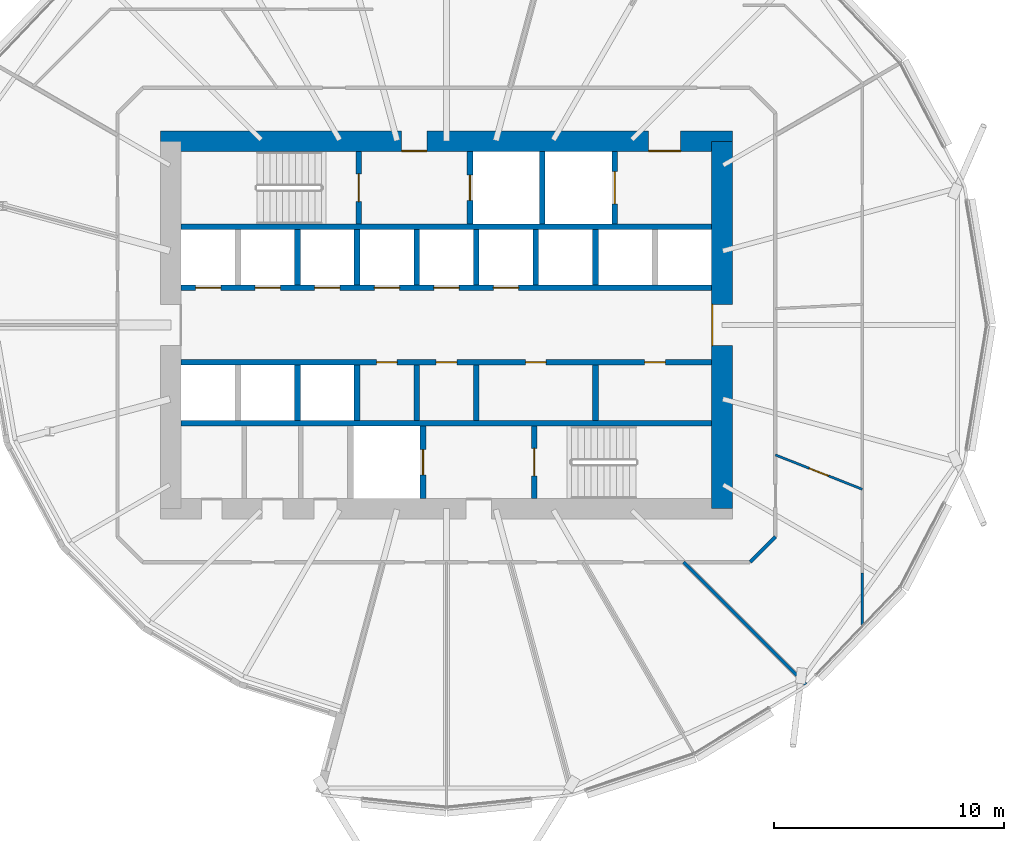
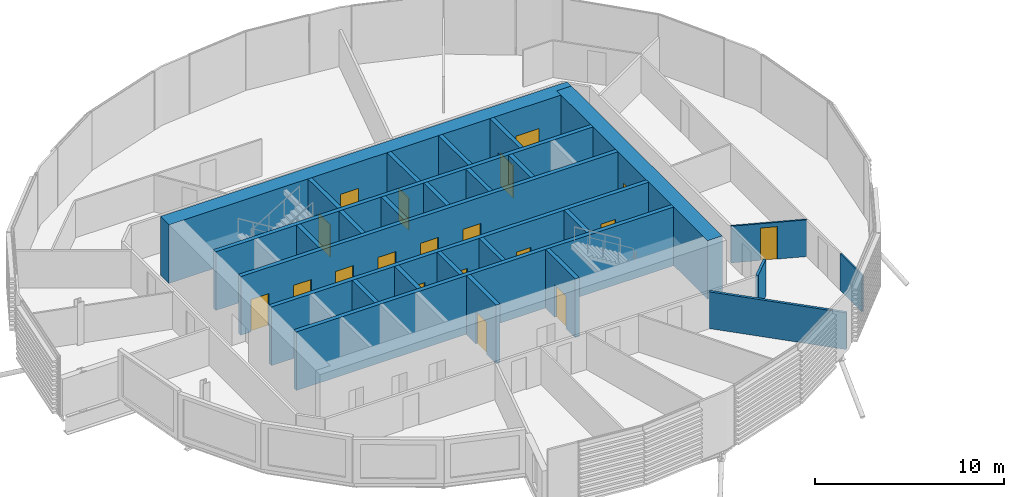
# One storey, part 21 of 38: 27 walls, 19 doors, 19 openings.
"""IFC4 building model written with IfcOpenShell, lengths in metres."""

from ifc_helpers import new_model, si_unit, direction, frame, frame_2d, origin, place, context, subcontext, project, spatial, rectangle, extrude, material, layer, layer_set, type_object, element, fill, save


model = new_model("IFC4")

# Units and contexts
model_context = context("Model", 3, precision=1e-05, world=origin(), true_north=direction((0.0, 1.0)))
body_context = subcontext(model_context, "Body", "Model", "MODEL_VIEW")
ifc_project = project(units=[si_unit("LENGTHUNIT", "METRE"), si_unit("AREAUNIT", "SQUARE_METRE"), si_unit("VOLUMEUNIT", "CUBIC_METRE"), si_unit("PLANEANGLEUNIT", "RADIAN"), si_unit("MASSUNIT", "GRAM", prefix="KILO")], contexts=[model_context])

# Site, building, storey
site_placement = place(None, origin())
site = spatial("IfcSite", under=ifc_project, at=site_placement, CompositionType="ELEMENT")
building_placement = place(site_placement, origin())
building = spatial("IfcBuilding", under=site, at=building_placement, Name="Rimbun Link Towers", CompositionType="ELEMENT")
storey_placement = place(building_placement, frame((0.0, 0.0, 71.800048828125)))
storey = spatial("IfcBuildingStorey", under=building, at=storey_placement, Name="L17", CompositionType="ELEMENT", Elevation=71.800048828125)

# Wall, openings, doors
ifc_material_1 = material(Name="Concrete C60/75", Category="concrete")
ifc_layer_1 = layer(ifc_material_1, 0.89990234375)
ifc_layer_set_1 = layer_set([ifc_layer_1], Name="Core shear wall 900")
wall_type_1 = type_object("IfcWallType", Name="Core shear wall 900", PredefinedType="SHEAR", material=ifc_layer_set_1)
wall_1_placement = place(storey_placement, frame((-44.199951171875, 8.0, 0.0), z_axis=(0.0, 0.0, 1.0), x_axis=(1.0, 0.0, 0.0)))
wall_1 = element("IfcWall", 1, at=wall_1_placement, inside=storey, type_object=wall_type_1, Name="L17 T1 core wall N", PredefinedType="SHEAR", context=body_context, shape_type="SweptSolid", body=[
    extrude(rectangle(XDim=24.89990234375, YDim=0.89990234375, at=frame_2d((12.449951171875, 0.0))), origin(), (0.0, 0.0, 1.0), 3.800048828125),
])
opening_1_placement = place(wall_1_placement, frame((10.5, 0.0, 0.0)))
opening_1 = element("IfcOpeningElement", 2, at=opening_1_placement, cuts=wall_1, Name="Opening C1DCF01N", PredefinedType="OPENING", context=body_context, shape_type="SweptSolid", body=[
    extrude(rectangle(XDim=1.10009765625, YDim=2.10009765625, at=frame_2d((0.550048828125, 1.050048828125))), frame((0.0, 0.4599609375, 0.0), z_axis=(0.0, -1.0, 0.0), x_axis=(1.0, 0.0, 0.0)), (0.0, 0.0, 1.0), 0.919921875),
])
opening_2_placement = place(wall_1_placement, frame((21.25, 0.0, 0.0)))
opening_2 = element("IfcOpeningElement", 3, at=opening_2_placement, cuts=wall_1, Name="Opening C1DSL02N", PredefinedType="OPENING", context=body_context, shape_type="SweptSolid", body=[
    extrude(rectangle(XDim=1.39990234375, YDim=2.10009765625, at=frame_2d((0.699951171875, 1.050048828125))), frame((0.0, 0.4599609375, 0.0), z_axis=(0.0, -1.0, 0.0), x_axis=(1.0, 0.0, 0.0)), (0.0, 0.0, 1.0), 0.919921875),
])
ifc_material_2 = material(Name="Steel fire door set", Category="steel")
door_type_1 = type_object("IfcDoorType", Name="Core fire door single", OperationType="SINGLE_SWING_LEFT", PredefinedType="DOOR", material=ifc_material_2)
door_1_placement = place(opening_1_placement, origin())
door_1 = element("IfcDoor", 4, at=door_1_placement, inside=storey, type_object=door_type_1, Name="L17 T1 firefighting lobby n door", OperationType="SINGLE_SWING_RIGHT", OverallHeight=2.10009765625, OverallWidth=1.10009765625, PredefinedType="DOOR", context=body_context, shape_type="SweptSolid", body=[
    extrude(rectangle(XDim=1.10009765625, YDim=2.10009765625, at=frame_2d((0.550048828125, 1.050048828125))), frame((0.0, -0.39990234375, 0.0), z_axis=(0.0, -1.0, 0.0), x_axis=(1.0, 0.0, 0.0)), (0.0, 0.0, 1.0), 0.050048828125),
])
fill(opening_1, door_1)
ifc_material_3 = material(Name="Steel fire door set", Category="steel")
door_type_2 = type_object("IfcDoorType", Name="Service lobby door double", OperationType="DOUBLE_DOOR_SINGLE_SWING", PredefinedType="DOOR", material=ifc_material_3)
door_2_placement = place(opening_2_placement, origin())
door_2 = element("IfcDoor", 5, at=door_2_placement, inside=storey, type_object=door_type_2, Name="L17 T1 service lobby door", OperationType="DOUBLE_DOOR_SINGLE_SWING", OverallHeight=2.10009765625, OverallWidth=1.39990234375, PredefinedType="DOOR", context=body_context, shape_type="SweptSolid", body=[
    extrude(rectangle(XDim=1.39990234375, YDim=2.10009765625, at=frame_2d((0.699951171875, 1.050048828125))), frame((0.0, -0.39990234375, 0.0), z_axis=(0.0, -1.0, 0.0), x_axis=(1.0, 0.0, 0.0)), (0.0, 0.0, 1.0), 0.050048828125),
])
fill(opening_2, door_2)

# Wall, opening, door
wall_2_placement = place(storey_placement, frame((-19.75, -8.0, 0.0), z_axis=(0.0, 0.0, 1.0), x_axis=(0.0, 1.0, 0.0)))
wall_2 = element("IfcWall", 6, at=wall_2_placement, inside=storey, type_object=wall_type_1, Name="L17 T1 core wall E", PredefinedType="SHEAR", context=body_context, shape_type="SweptSolid", body=[
    extrude(rectangle(XDim=16.0, YDim=0.89990234375, at=frame_2d((8.0, 0.0))), origin(), (0.0, 0.0, 1.0), 3.800048828125),
])
opening_3_placement = place(wall_2_placement, frame((7.10009765625, 0.0, 0.0)))
opening_3 = element("IfcOpeningElement", 7, at=opening_3_placement, cuts=wall_2, Name="Opening C1DCL01E", PredefinedType="OPENING", context=body_context, shape_type="SweptSolid", body=[
    extrude(rectangle(XDim=1.800048828125, YDim=2.10009765625, at=frame_2d((0.89990234375, 1.050048828125))), frame((0.0, 0.4599609375, 0.0), z_axis=(0.0, -1.0, 0.0), x_axis=(1.0, 0.0, 0.0)), (0.0, 0.0, 1.0), 0.919921875),
])
ifc_material_4 = material(Name="Steel fire door set", Category="steel")
door_type_3 = type_object("IfcDoorType", Name="Core lobby door double", OperationType="DOUBLE_DOOR_SINGLE_SWING", PredefinedType="DOOR", material=ifc_material_4)
door_3_placement = place(opening_3_placement, origin())
door_3 = element("IfcDoor", 8, at=door_3_placement, inside=storey, type_object=door_type_3, Name="L17 T1 lift lobby door", OperationType="DOUBLE_DOOR_SINGLE_SWING", OverallHeight=2.10009765625, OverallWidth=1.800048828125, PredefinedType="DOOR", context=body_context, shape_type="SweptSolid", body=[
    extrude(rectangle(XDim=1.800048828125, YDim=2.10009765625, at=frame_2d((0.89990234375, 1.050048828125))), frame((0.0, 0.4501953125, 0.0), z_axis=(0.0, -1.0, 0.0), x_axis=(1.0, 0.0, 0.0)), (0.0, 0.0, 1.0), 0.050048828125),
])
fill(opening_3, door_3)

# Wall
ifc_material_5 = material(Name="Plasterboard on steel stud, mineral wool", Category="steel")
ifc_layer_2 = layer(ifc_material_5, 0.14990234375)
ifc_layer_set_2 = layer_set([ifc_layer_2], Name="Corridor wall EI 30 150 mm")
wall_type_2 = type_object("IfcWallType", Name="Corridor wall EI 30 150 mm", PredefinedType="PARTITIONING", material=ifc_layer_set_2)
wall_3_placement = place(storey_placement, frame((-18.523193359375, -10.324951171875, 0.0), z_axis=(0.0, 0.0, 1.0), x_axis=(0.707106781187, 0.707106781187, 0.0)))
element("IfcWall", 9, at=wall_3_placement, inside=storey, type_object=wall_type_2, Name="Corridor wall EI 30 150 mm", PredefinedType="PARTITIONING", context=body_context, shape_type="SweptSolid", body=[
    extrude(rectangle(XDim=1.552978515625, YDim=0.14990234375, at=frame_2d((0.7763671875, 0.0))), origin(), (0.0, 0.0, 1.0), 2.3798828125),
])

# Wall, opening, door
ifc_material_6 = material(Name="Plasterboard on steel stud", Category="steel")
ifc_layer_3 = layer(ifc_material_6, 0.10009765625)
ifc_layer_set_3 = layer_set([ifc_layer_3], Name="Plasterboard partition 100 mm")
wall_type_3 = type_object("IfcWallType", Name="Plasterboard partition 100 mm", PredefinedType="PARTITIONING", material=ifc_layer_set_3)
wall_4_placement = place(storey_placement, frame((-17.425048828125, -5.65966796875, 0.0), z_axis=(0.0, 0.0, 1.0), x_axis=(0.930046668, -0.367441417565, 0.0)))
wall_4 = element("IfcWall", 10, at=wall_4_placement, inside=storey, type_object=wall_type_3, Name="Plasterboard partition 100 mm", PredefinedType="PARTITIONING", context=body_context, shape_type="SweptSolid", body=[
    extrude(rectangle(XDim=4.064453125, YDim=0.10009765625, at=frame_2d((2.0322265625, 0.0))), origin(), (0.0, 0.0, 1.0), 2.3798828125),
])
opening_4_placement = place(wall_4_placement, frame((1.582275390625, 0.0, 0.0)))
opening_4 = element("IfcOpeningElement", 11, at=opening_4_placement, cuts=wall_4, Name="Opening D04", PredefinedType="OPENING", context=body_context, shape_type="SweptSolid", body=[
    extrude(rectangle(XDim=0.89990234375, YDim=2.10009765625, at=frame_2d((0.449951171875, 1.050048828125))), frame((0.0, 0.06005859375, 0.0), z_axis=(0.0, -1.0, 0.0), x_axis=(1.0, 0.0, 0.0)), (0.0, 0.0, 1.0), 0.1201171875),
])
ifc_material_7 = material(Name="Timber door leaf", Category="wood")
door_type_4 = type_object("IfcDoorType", Name="Flush door 900", OperationType="NOTDEFINED", PredefinedType="DOOR", material=ifc_material_7)
door_4_placement = place(opening_4_placement, origin())
door_4 = element("IfcDoor", 12, at=door_4_placement, inside=storey, type_object=door_type_4, Name="Flush door 900 to Interview room", OperationType="SINGLE_SWING_LEFT", OverallHeight=2.10009765625, OverallWidth=0.89990234375, PredefinedType="DOOR", context=body_context, shape_type="SweptSolid", body=[
    extrude(rectangle(XDim=0.89990234375, YDim=2.10009765625, at=frame_2d((0.449951171875, 1.050048828125))), frame((0.0, 0.02490234375, 0.0), z_axis=(0.0, -1.0, 0.0), x_axis=(1.0, 0.0, 0.0)), (0.0, 0.0, 1.0), 0.050048828125),
])
fill(opening_4, door_4)

# Walls
wall_5_placement = place(storey_placement, frame((-13.64501953125, -13.084228515625, 0.0), z_axis=(0.0, 0.0, 1.0), x_axis=(0.0, 1.0, 0.0)))
element("IfcWall", 13, at=wall_5_placement, inside=storey, type_object=wall_type_3, Name="Plasterboard partition 100 mm", PredefinedType="PARTITIONING", context=body_context, shape_type="SweptSolid", body=[
    extrude(rectangle(XDim=2.291748046875, YDim=0.10009765625, at=frame_2d((1.14599609375, 0.0))), origin(), (0.0, 0.0, 1.0), 2.3798828125),
])
ifc_material_8 = material(Name="Concrete C60/75", Category="concrete")
ifc_layer_4 = layer(ifc_material_8, 0.25)
ifc_layer_set_4 = layer_set([ifc_layer_4], Name="Shaft wall 250")
wall_type_4 = type_object("IfcWallType", Name="Shaft wall 250", PredefinedType="SHEAR", material=ifc_layer_set_4)
for number, where, z_axis, x_axis, name in (
    (14, (-43.300048828125, 4.27490234375, 0.0), (0.0, 0.0, 1.0), (1.0, 0.0, 0.0), "L17 T1 core wall BN"),
    (15, (-43.300048828125, -4.27490234375, 0.0), (0.0, 0.0, 1.0), (1.0, 0.0, 0.0), "L17 T1 core wall BS"),
):
    element("IfcWall", number, at=place(storey_placement, frame(where, z_axis=z_axis, x_axis=x_axis)), inside=storey, type_object=wall_type_4, Name=name, PredefinedType="SHEAR", context=body_context, shape_type="SweptSolid", body=[
        extrude(rectangle(XDim=23.10009765625, YDim=0.25, at=frame_2d((11.550048828125, 0.0))), origin(), (0.0, 0.0, 1.0), 3.800048828125),
    ])

# Wall, openings, doors
wall_6_placement = place(storey_placement, frame((-43.300048828125, 1.625, 0.0), z_axis=(0.0, 0.0, 1.0), x_axis=(1.0, 0.0, 0.0)))
wall_6 = element("IfcWall", 16, at=wall_6_placement, inside=storey, type_object=wall_type_4, Name="L17 T1 core wall FN", PredefinedType="SHEAR", context=body_context, shape_type="SweptSolid", body=[
    extrude(rectangle(XDim=23.10009765625, YDim=0.25, at=frame_2d((11.550048828125, 0.0))), origin(), (0.0, 0.0, 1.0), 3.800048828125),
])
opening_5_placement = place(wall_6_placement, frame((0.622314453125, 0.0, 0.0)))
opening_5 = element("IfcOpeningElement", 17, at=opening_5_placement, cuts=wall_6, Name="Opening LD-T1-LR1", PredefinedType="OPENING", context=body_context, shape_type="SweptSolid", body=[
    extrude(rectangle(XDim=1.10009765625, YDim=2.10009765625, at=frame_2d((0.550048828125, 1.050048828125))), frame((0.0, 0.135009765625, 0.0), z_axis=(0.0, -1.0, 0.0), x_axis=(1.0, 0.0, 0.0)), (0.0, 0.0, 1.0), 0.27001953125),
])
opening_6_placement = place(wall_6_placement, frame((3.216796875, 0.0, 0.0)))
opening_6 = element("IfcOpeningElement", 18, at=opening_6_placement, cuts=wall_6, Name="Opening LD-T1-LR2", PredefinedType="OPENING", context=body_context, shape_type="SweptSolid", body=[
    extrude(rectangle(XDim=1.10009765625, YDim=2.10009765625, at=frame_2d((0.550048828125, 1.050048828125))), frame((0.0, 0.135009765625, 0.0), z_axis=(0.0, -1.0, 0.0), x_axis=(1.0, 0.0, 0.0)), (0.0, 0.0, 1.0), 0.27001953125),
])
opening_7_placement = place(wall_6_placement, frame((5.81103515625, 0.0, 0.0)))
opening_7 = element("IfcOpeningElement", 19, at=opening_7_placement, cuts=wall_6, Name="Opening LD-T1-LR3", PredefinedType="OPENING", context=body_context, shape_type="SweptSolid", body=[
    extrude(rectangle(XDim=1.10009765625, YDim=2.10009765625, at=frame_2d((0.550048828125, 1.050048828125))), frame((0.0, 0.135009765625, 0.0), z_axis=(0.0, -1.0, 0.0), x_axis=(1.0, 0.0, 0.0)), (0.0, 0.0, 1.0), 0.27001953125),
])
opening_8_placement = place(wall_6_placement, frame((8.405517578125, 0.0, 0.0)))
opening_8 = element("IfcOpeningElement", 20, at=opening_8_placement, cuts=wall_6, Name="Opening LD-T1-LR4", PredefinedType="OPENING", context=body_context, shape_type="SweptSolid", body=[
    extrude(rectangle(XDim=1.10009765625, YDim=2.10009765625, at=frame_2d((0.550048828125, 1.050048828125))), frame((0.0, 0.135009765625, 0.0), z_axis=(0.0, -1.0, 0.0), x_axis=(1.0, 0.0, 0.0)), (0.0, 0.0, 1.0), 0.27001953125),
])
opening_9_placement = place(wall_6_placement, frame((11.0, 0.0, 0.0)))
opening_9 = element("IfcOpeningElement", 21, at=opening_9_placement, cuts=wall_6, Name="Opening LD-T1-LR5", PredefinedType="OPENING", context=body_context, shape_type="SweptSolid", body=[
    extrude(rectangle(XDim=1.10009765625, YDim=2.10009765625, at=frame_2d((0.550048828125, 1.050048828125))), frame((0.0, 0.135009765625, 0.0), z_axis=(0.0, -1.0, 0.0), x_axis=(1.0, 0.0, 0.0)), (0.0, 0.0, 1.0), 0.27001953125),
])
opening_10_placement = place(wall_6_placement, frame((13.594482421875, 0.0, 0.0)))
opening_10 = element("IfcOpeningElement", 22, at=opening_10_placement, cuts=wall_6, Name="Opening LD-T1-LR6", PredefinedType="OPENING", context=body_context, shape_type="SweptSolid", body=[
    extrude(rectangle(XDim=1.10009765625, YDim=2.10009765625, at=frame_2d((0.550048828125, 1.050048828125))), frame((0.0, 0.135009765625, 0.0), z_axis=(0.0, -1.0, 0.0), x_axis=(1.0, 0.0, 0.0)), (0.0, 0.0, 1.0), 0.27001953125),
])
ifc_material_9 = material(Name="Stainless steel grade 316", Category="steel")
door_type_5 = type_object("IfcDoorType", Name="Lift landing door", OperationType="DOUBLE_DOOR_SLIDING", PredefinedType="DOOR", material=ifc_material_9)
door_5_placement = place(opening_5_placement, origin())
door_5 = element("IfcDoor", 23, at=door_5_placement, inside=storey, type_object=door_type_5, Name="L17 T1 lift LR1 landing door", OperationType="DOUBLE_DOOR_SLIDING", OverallHeight=2.10009765625, OverallWidth=1.10009765625, PredefinedType="DOOR", context=body_context, shape_type="SweptSolid", body=[
    extrude(rectangle(XDim=1.10009765625, YDim=2.10009765625, at=frame_2d((0.550048828125, 1.050048828125))), frame((0.0, 0.02490234375, 0.0), z_axis=(0.0, -1.0, 0.0), x_axis=(1.0, 0.0, 0.0)), (0.0, 0.0, 1.0), 0.050048828125),
])
fill(opening_5, door_5)
door_6_placement = place(opening_6_placement, origin())
door_6 = element("IfcDoor", 24, at=door_6_placement, inside=storey, type_object=door_type_5, Name="L17 T1 lift LR2 landing door", OperationType="DOUBLE_DOOR_SLIDING", OverallHeight=2.10009765625, OverallWidth=1.10009765625, PredefinedType="DOOR", context=body_context, shape_type="SweptSolid", body=[
    extrude(rectangle(XDim=1.10009765625, YDim=2.10009765625, at=frame_2d((0.550048828125, 1.050048828125))), frame((0.0, 0.02490234375, 0.0), z_axis=(0.0, -1.0, 0.0), x_axis=(1.0, 0.0, 0.0)), (0.0, 0.0, 1.0), 0.050048828125),
])
fill(opening_6, door_6)
door_7_placement = place(opening_7_placement, origin())
door_7 = element("IfcDoor", 25, at=door_7_placement, inside=storey, type_object=door_type_5, Name="L17 T1 lift LR3 landing door", OperationType="DOUBLE_DOOR_SLIDING", OverallHeight=2.10009765625, OverallWidth=1.10009765625, PredefinedType="DOOR", context=body_context, shape_type="SweptSolid", body=[
    extrude(rectangle(XDim=1.10009765625, YDim=2.10009765625, at=frame_2d((0.550048828125, 1.050048828125))), frame((0.0, 0.02490234375, 0.0), z_axis=(0.0, -1.0, 0.0), x_axis=(1.0, 0.0, 0.0)), (0.0, 0.0, 1.0), 0.050048828125),
])
fill(opening_7, door_7)
door_8_placement = place(opening_8_placement, origin())
door_8 = element("IfcDoor", 26, at=door_8_placement, inside=storey, type_object=door_type_5, Name="L17 T1 lift LR4 landing door", OperationType="DOUBLE_DOOR_SLIDING", OverallHeight=2.10009765625, OverallWidth=1.10009765625, PredefinedType="DOOR", context=body_context, shape_type="SweptSolid", body=[
    extrude(rectangle(XDim=1.10009765625, YDim=2.10009765625, at=frame_2d((0.550048828125, 1.050048828125))), frame((0.0, 0.02490234375, 0.0), z_axis=(0.0, -1.0, 0.0), x_axis=(1.0, 0.0, 0.0)), (0.0, 0.0, 1.0), 0.050048828125),
])
fill(opening_8, door_8)
door_9_placement = place(opening_9_placement, origin())
door_9 = element("IfcDoor", 27, at=door_9_placement, inside=storey, type_object=door_type_5, Name="L17 T1 lift LR5 landing door", OperationType="DOUBLE_DOOR_SLIDING", OverallHeight=2.10009765625, OverallWidth=1.10009765625, PredefinedType="DOOR", context=body_context, shape_type="SweptSolid", body=[
    extrude(rectangle(XDim=1.10009765625, YDim=2.10009765625, at=frame_2d((0.550048828125, 1.050048828125))), frame((0.0, 0.02490234375, 0.0), z_axis=(0.0, -1.0, 0.0), x_axis=(1.0, 0.0, 0.0)), (0.0, 0.0, 1.0), 0.050048828125),
])
fill(opening_9, door_9)
door_10_placement = place(opening_10_placement, origin())
door_10 = element("IfcDoor", 28, at=door_10_placement, inside=storey, type_object=door_type_5, Name="L17 T1 lift LR6 landing door", OperationType="DOUBLE_DOOR_SLIDING", OverallHeight=2.10009765625, OverallWidth=1.10009765625, PredefinedType="DOOR", context=body_context, shape_type="SweptSolid", body=[
    extrude(rectangle(XDim=1.10009765625, YDim=2.10009765625, at=frame_2d((0.550048828125, 1.050048828125))), frame((0.0, 0.02490234375, 0.0), z_axis=(0.0, -1.0, 0.0), x_axis=(1.0, 0.0, 0.0)), (0.0, 0.0, 1.0), 0.050048828125),
])
fill(opening_10, door_10)

wall_7_placement = place(storey_placement, frame((-43.300048828125, -1.625, 0.0), z_axis=(0.0, 0.0, 1.0), x_axis=(1.0, 0.0, 0.0)))
wall_7 = element("IfcWall", 29, at=wall_7_placement, inside=storey, type_object=wall_type_4, Name="L17 T1 core wall FS", PredefinedType="SHEAR", context=body_context, shape_type="SweptSolid", body=[
    extrude(rectangle(XDim=23.10009765625, YDim=0.25, at=frame_2d((11.550048828125, 0.0))), origin(), (0.0, 0.0, 1.0), 3.800048828125),
])
opening_11_placement = place(wall_7_placement, frame((8.505615234375, 0.0, 0.0)))
opening_11 = element("IfcOpeningElement", 30, at=opening_11_placement, cuts=wall_7, Name="Opening C1DRS01FS", PredefinedType="OPENING", context=body_context, shape_type="SweptSolid", body=[
    extrude(rectangle(XDim=0.89990234375, YDim=2.10009765625, at=frame_2d((0.449951171875, 1.050048828125))), frame((0.0, 0.135009765625, 0.0), z_axis=(0.0, -1.0, 0.0), x_axis=(1.0, 0.0, 0.0)), (0.0, 0.0, 1.0), 0.27001953125),
])
opening_12_placement = place(wall_7_placement, frame((11.10009765625, 0.0, 0.0)))
opening_12 = element("IfcOpeningElement", 31, at=opening_12_placement, cuts=wall_7, Name="Opening C1DRS02FS", PredefinedType="OPENING", context=body_context, shape_type="SweptSolid", body=[
    extrude(rectangle(XDim=0.89990234375, YDim=2.10009765625, at=frame_2d((0.449951171875, 1.050048828125))), frame((0.0, 0.135009765625, 0.0), z_axis=(0.0, -1.0, 0.0), x_axis=(1.0, 0.0, 0.0)), (0.0, 0.0, 1.0), 0.27001953125),
])
opening_13_placement = place(wall_7_placement, frame((14.99169921875, 0.0, 0.0)))
opening_13 = element("IfcOpeningElement", 32, at=opening_13_placement, cuts=wall_7, Name="Opening C1DRS03FS", PredefinedType="OPENING", context=body_context, shape_type="SweptSolid", body=[
    extrude(rectangle(XDim=0.89990234375, YDim=2.10009765625, at=frame_2d((0.449951171875, 1.050048828125))), frame((0.0, 0.135009765625, 0.0), z_axis=(0.0, -1.0, 0.0), x_axis=(1.0, 0.0, 0.0)), (0.0, 0.0, 1.0), 0.27001953125),
])
opening_14_placement = place(wall_7_placement, frame((20.1806640625, 0.0, 0.0)))
opening_14 = element("IfcOpeningElement", 33, at=opening_14_placement, cuts=wall_7, Name="Opening C1DRS04FS", PredefinedType="OPENING", context=body_context, shape_type="SweptSolid", body=[
    extrude(rectangle(XDim=0.89990234375, YDim=2.10009765625, at=frame_2d((0.449951171875, 1.050048828125))), frame((0.0, 0.135009765625, 0.0), z_axis=(0.0, -1.0, 0.0), x_axis=(1.0, 0.0, 0.0)), (0.0, 0.0, 1.0), 0.27001953125),
])
ifc_material_10 = material(Name="Steel fire door set", Category="steel")
door_type_6 = type_object("IfcDoorType", Name="Core riser door", OperationType="SINGLE_SWING_LEFT", PredefinedType="DOOR", material=ifc_material_10)
door_11_placement = place(opening_11_placement, origin())
door_11 = element("IfcDoor", 34, at=door_11_placement, inside=storey, type_object=door_type_6, Name="L17 T1 pantry door", OperationType="SINGLE_SWING_LEFT", OverallHeight=2.10009765625, OverallWidth=0.89990234375, PredefinedType="DOOR", context=body_context, shape_type="SweptSolid", body=[
    extrude(rectangle(XDim=0.89990234375, YDim=2.10009765625, at=frame_2d((0.449951171875, 1.050048828125))), frame((0.0, 0.02490234375, 0.0), z_axis=(0.0, -1.0, 0.0), x_axis=(1.0, 0.0, 0.0)), (0.0, 0.0, 1.0), 0.050048828125),
])
fill(opening_11, door_11)
door_12_placement = place(opening_12_placement, origin())
door_12 = element("IfcDoor", 35, at=door_12_placement, inside=storey, type_object=door_type_6, Name="L17 T1 stationery store door", OperationType="SINGLE_SWING_RIGHT", OverallHeight=2.10009765625, OverallWidth=0.89990234375, PredefinedType="DOOR", context=body_context, shape_type="SweptSolid", body=[
    extrude(rectangle(XDim=0.89990234375, YDim=2.10009765625, at=frame_2d((0.449951171875, 1.050048828125))), frame((0.0, 0.02490234375, 0.0), z_axis=(0.0, -1.0, 0.0), x_axis=(1.0, 0.0, 0.0)), (0.0, 0.0, 1.0), 0.050048828125),
])
fill(opening_12, door_12)
door_13_placement = place(opening_13_placement, origin())
door_13 = element("IfcDoor", 36, at=door_13_placement, inside=storey, type_object=door_type_6, Name="L17 T1 server room door", OperationType="SINGLE_SWING_LEFT", OverallHeight=2.10009765625, OverallWidth=0.89990234375, PredefinedType="DOOR", context=body_context, shape_type="SweptSolid", body=[
    extrude(rectangle(XDim=0.89990234375, YDim=2.10009765625, at=frame_2d((0.449951171875, 1.050048828125))), frame((0.0, 0.02490234375, 0.0), z_axis=(0.0, -1.0, 0.0), x_axis=(1.0, 0.0, 0.0)), (0.0, 0.0, 1.0), 0.050048828125),
])
fill(opening_13, door_13)
door_14_placement = place(opening_14_placement, origin())
door_14 = element("IfcDoor", 37, at=door_14_placement, inside=storey, type_object=door_type_6, Name="L17 T1 print room door", OperationType="SINGLE_SWING_LEFT", OverallHeight=2.10009765625, OverallWidth=0.89990234375, PredefinedType="DOOR", context=body_context, shape_type="SweptSolid", body=[
    extrude(rectangle(XDim=0.89990234375, YDim=2.10009765625, at=frame_2d((0.449951171875, 1.050048828125))), frame((0.0, 0.02490234375, 0.0), z_axis=(0.0, -1.0, 0.0), x_axis=(1.0, 0.0, 0.0)), (0.0, 0.0, 1.0), 0.050048828125),
])
fill(opening_14, door_14)

# Walls
for number, where, z_axis, x_axis, name in (
    (38, (-38.236083984375, 1.75, 0.0), (0.0, 0.0, 1.0), (0.0, 1.0, 0.0), "L17 T1 core wall DN1"),
    (39, (-35.6416015625, 1.75, 0.0), (0.0, 0.0, 1.0), (0.0, 1.0, 0.0), "L17 T1 core wall DN2"),
    (40, (-33.047119140625, 1.75, 0.0), (0.0, 0.0, 1.0), (0.0, 1.0, 0.0), "L17 T1 core wall DN3"),
    (41, (-30.452880859375, 1.75, 0.0), (0.0, 0.0, 1.0), (0.0, 1.0, 0.0), "L17 T1 core wall DN4"),
    (42, (-27.8583984375, 1.75, 0.0), (0.0, 0.0, 1.0), (0.0, 1.0, 0.0), "L17 T1 core wall DN5"),
    (43, (-25.263916015625, 1.75, 0.0), (0.0, 0.0, 1.0), (0.0, 1.0, 0.0), "L17 T1 core wall DN6"),
    (44, (-38.236083984375, -4.14990234375, 0.0), (0.0, 0.0, 1.0), (0.0, 1.0, 0.0), "L17 T1 core wall DS1"),
    (45, (-35.6416015625, -4.14990234375, 0.0), (0.0, 0.0, 1.0), (0.0, 1.0, 0.0), "L17 T1 core wall DS2"),
    (46, (-33.047119140625, -4.14990234375, 0.0), (0.0, 0.0, 1.0), (0.0, 1.0, 0.0), "L17 T1 core wall DS3"),
    (47, (-30.452880859375, -4.14990234375, 0.0), (0.0, 0.0, 1.0), (0.0, 1.0, 0.0), "L17 T1 core wall DS4"),
    (48, (-25.263916015625, -4.14990234375, 0.0), (0.0, 0.0, 1.0), (0.0, 1.0, 0.0), "L17 T1 core wall DS6"),
):
    element("IfcWall", number, at=place(storey_placement, frame(where, z_axis=z_axis, x_axis=x_axis)), inside=storey, type_object=wall_type_4, Name=name, PredefinedType="SHEAR", context=body_context, shape_type="SweptSolid", body=[
        extrude(rectangle(XDim=2.39990234375, YDim=0.25, at=frame_2d((1.199951171875, 0.0))), origin(), (0.0, 0.0, 1.0), 3.800048828125),
    ])

# Wall, opening, door
wall_8_placement = place(storey_placement, frame((-35.574951171875, 4.39990234375, 0.0), z_axis=(0.0, 0.0, 1.0), x_axis=(0.0, 1.0, 0.0)))
wall_8 = element("IfcWall", 49, at=wall_8_placement, inside=storey, type_object=wall_type_4, Name="L17 T1 core wall A1", PredefinedType="SHEAR", context=body_context, shape_type="SweptSolid", body=[
    extrude(rectangle(XDim=3.150146484375, YDim=0.25, at=frame_2d((1.5751953125, 0.0))), origin(), (0.0, 0.0, 1.0), 3.800048828125),
])
opening_15_placement = place(wall_8_placement, frame((0.97509765625, 0.0, 0.0)))
opening_15 = element("IfcOpeningElement", 50, at=opening_15_placement, cuts=wall_8, Name="Opening C1DST01A1", PredefinedType="OPENING", context=body_context, shape_type="SweptSolid", body=[
    extrude(rectangle(XDim=1.199951171875, YDim=2.10009765625, at=frame_2d((0.60009765625, 1.050048828125))), frame((0.0, 0.135009765625, 0.0), z_axis=(0.0, -1.0, 0.0), x_axis=(1.0, 0.0, 0.0)), (0.0, 0.0, 1.0), 0.27001953125),
])
ifc_material_11 = material(Name="Steel fire door set", Category="steel")
door_type_7 = type_object("IfcDoorType", Name="Stair door", OperationType="SINGLE_SWING_LEFT", PredefinedType="DOOR", material=ifc_material_11)
door_15_placement = place(opening_15_placement, origin())
door_15 = element("IfcDoor", 51, at=door_15_placement, inside=storey, type_object=door_type_7, Name="L17 T1 stair a door", OperationType="SINGLE_SWING_RIGHT", OverallHeight=2.10009765625, OverallWidth=1.199951171875, PredefinedType="DOOR", context=body_context, shape_type="SweptSolid", body=[
    extrude(rectangle(XDim=1.199951171875, YDim=2.10009765625, at=frame_2d((0.60009765625, 1.050048828125))), frame((0.0, 0.02490234375, 0.0), z_axis=(0.0, -1.0, 0.0), x_axis=(1.0, 0.0, 0.0)), (0.0, 0.0, 1.0), 0.050048828125),
])
fill(opening_15, door_15)

wall_9_placement = place(storey_placement, frame((-30.72509765625, 4.39990234375, 0.0), z_axis=(0.0, 0.0, 1.0), x_axis=(0.0, 1.0, 0.0)))
wall_9 = element("IfcWall", 52, at=wall_9_placement, inside=storey, type_object=wall_type_4, Name="L17 T1 core wall A2", PredefinedType="SHEAR", context=body_context, shape_type="SweptSolid", body=[
    extrude(rectangle(XDim=3.150146484375, YDim=0.25, at=frame_2d((1.5751953125, 0.0))), origin(), (0.0, 0.0, 1.0), 3.800048828125),
])
opening_16_placement = place(wall_9_placement, frame((1.02490234375, 0.0, 0.0)))
opening_16 = element("IfcOpeningElement", 53, at=opening_16_placement, cuts=wall_9, Name="Opening LD-T1-FF1", PredefinedType="OPENING", context=body_context, shape_type="SweptSolid", body=[
    extrude(rectangle(XDim=1.10009765625, YDim=2.10009765625, at=frame_2d((0.550048828125, 1.050048828125))), frame((0.0, 0.135009765625, 0.0), z_axis=(0.0, -1.0, 0.0), x_axis=(1.0, 0.0, 0.0)), (0.0, 0.0, 1.0), 0.27001953125),
])
door_16_placement = place(opening_16_placement, origin())
door_16 = element("IfcDoor", 54, at=door_16_placement, inside=storey, type_object=door_type_5, Name="L17 T1 lift FF1 landing door", OperationType="DOUBLE_DOOR_SLIDING", OverallHeight=2.10009765625, OverallWidth=1.10009765625, PredefinedType="DOOR", context=body_context, shape_type="SweptSolid", body=[
    extrude(rectangle(XDim=1.10009765625, YDim=2.10009765625, at=frame_2d((0.550048828125, 1.050048828125))), frame((0.0, 0.02490234375, 0.0), z_axis=(0.0, -1.0, 0.0), x_axis=(1.0, 0.0, 0.0)), (0.0, 0.0, 1.0), 0.050048828125),
])
fill(opening_16, door_16)

# Wall
wall_10_placement = place(storey_placement, frame((-27.574951171875, 4.39990234375, 0.0), z_axis=(0.0, 0.0, 1.0), x_axis=(0.0, 1.0, 0.0)))
element("IfcWall", 55, at=wall_10_placement, inside=storey, type_object=wall_type_4, Name="L17 T1 core wall A3", PredefinedType="SHEAR", context=body_context, shape_type="SweptSolid", body=[
    extrude(rectangle(XDim=3.150146484375, YDim=0.25, at=frame_2d((1.5751953125, 0.0))), origin(), (0.0, 0.0, 1.0), 3.800048828125),
])

# Wall, opening, door
wall_11_placement = place(storey_placement, frame((-24.425048828125, 4.39990234375, 0.0), z_axis=(0.0, 0.0, 1.0), x_axis=(0.0, 1.0, 0.0)))
wall_11 = element("IfcWall", 56, at=wall_11_placement, inside=storey, type_object=wall_type_4, Name="L17 T1 core wall A4", PredefinedType="SHEAR", context=body_context, shape_type="SweptSolid", body=[
    extrude(rectangle(XDim=3.150146484375, YDim=0.25, at=frame_2d((1.5751953125, 0.0))), origin(), (0.0, 0.0, 1.0), 3.800048828125),
])
opening_17_placement = place(wall_11_placement, frame((0.875, 0.0, 0.0)))
opening_17 = element("IfcOpeningElement", 57, at=opening_17_placement, cuts=wall_11, Name="Opening LD-T1-GL1", PredefinedType="OPENING", context=body_context, shape_type="SweptSolid", body=[
    extrude(rectangle(XDim=1.39990234375, YDim=2.10009765625, at=frame_2d((0.699951171875, 1.050048828125))), frame((0.0, 0.135009765625, 0.0), z_axis=(0.0, -1.0, 0.0), x_axis=(1.0, 0.0, 0.0)), (0.0, 0.0, 1.0), 0.27001953125),
])
ifc_material_12 = material(Name="Stainless steel grade 316", Category="steel")
door_type_8 = type_object("IfcDoorType", Name="Goods lift landing door", OperationType="DOUBLE_DOOR_SLIDING", PredefinedType="DOOR", material=ifc_material_12)
door_17_placement = place(opening_17_placement, origin())
door_17 = element("IfcDoor", 58, at=door_17_placement, inside=storey, type_object=door_type_8, Name="L17 T1 lift GL1 landing door", OperationType="DOUBLE_DOOR_SLIDING", OverallHeight=2.10009765625, OverallWidth=1.39990234375, PredefinedType="DOOR", context=body_context, shape_type="SweptSolid", body=[
    extrude(rectangle(XDim=1.39990234375, YDim=2.10009765625, at=frame_2d((0.699951171875, 1.050048828125))), frame((0.0, 0.02490234375, 0.0), z_axis=(0.0, -1.0, 0.0), x_axis=(1.0, 0.0, 0.0)), (0.0, 0.0, 1.0), 0.050048828125),
])
fill(opening_17, door_17)

wall_12_placement = place(storey_placement, frame((-27.925048828125, -4.39990234375, 0.0), z_axis=(0.0, 0.0, 1.0), x_axis=(0.0, -1.0, 0.0)))
wall_12 = element("IfcWall", 59, at=wall_12_placement, inside=storey, type_object=wall_type_4, Name="L17 T1 core wall B1", PredefinedType="SHEAR", context=body_context, shape_type="SweptSolid", body=[
    extrude(rectangle(XDim=3.150146484375, YDim=0.25, at=frame_2d((1.5751953125, 0.0))), origin(), (0.0, 0.0, 1.0), 3.800048828125),
])
opening_18_placement = place(wall_12_placement, frame((0.97509765625, 0.0, 0.0)))
opening_18 = element("IfcOpeningElement", 60, at=opening_18_placement, cuts=wall_12, Name="Opening C1DST01B1", PredefinedType="OPENING", context=body_context, shape_type="SweptSolid", body=[
    extrude(rectangle(XDim=1.199951171875, YDim=2.10009765625, at=frame_2d((0.60009765625, 1.050048828125))), frame((0.0, 0.135009765625, 0.0), z_axis=(0.0, -1.0, 0.0), x_axis=(1.0, 0.0, 0.0)), (0.0, 0.0, 1.0), 0.27001953125),
])
door_18_placement = place(opening_18_placement, origin())
door_18 = element("IfcDoor", 61, at=door_18_placement, inside=storey, type_object=door_type_7, Name="L17 T1 stair b door", OperationType="SINGLE_SWING_RIGHT", OverallHeight=2.10009765625, OverallWidth=1.199951171875, PredefinedType="DOOR", context=body_context, shape_type="SweptSolid", body=[
    extrude(rectangle(XDim=1.199951171875, YDim=2.10009765625, at=frame_2d((0.60009765625, 1.050048828125))), frame((0.0, 0.02490234375, 0.0), z_axis=(0.0, -1.0, 0.0), x_axis=(1.0, 0.0, 0.0)), (0.0, 0.0, 1.0), 0.050048828125),
])
fill(opening_18, door_18)

wall_13_placement = place(storey_placement, frame((-32.77490234375, -4.39990234375, 0.0), z_axis=(0.0, 0.0, 1.0), x_axis=(0.0, -1.0, 0.0)))
wall_13 = element("IfcWall", 62, at=wall_13_placement, inside=storey, type_object=wall_type_4, Name="L17 T1 core wall B2", PredefinedType="SHEAR", context=body_context, shape_type="SweptSolid", body=[
    extrude(rectangle(XDim=3.150146484375, YDim=0.25, at=frame_2d((1.5751953125, 0.0))), origin(), (0.0, 0.0, 1.0), 3.800048828125),
])
opening_19_placement = place(wall_13_placement, frame((1.02490234375, 0.0, 0.0)))
opening_19 = element("IfcOpeningElement", 63, at=opening_19_placement, cuts=wall_13, Name="Opening LD-T1-FF2", PredefinedType="OPENING", context=body_context, shape_type="SweptSolid", body=[
    extrude(rectangle(XDim=1.10009765625, YDim=2.10009765625, at=frame_2d((0.550048828125, 1.050048828125))), frame((0.0, 0.135009765625, 0.0), z_axis=(0.0, -1.0, 0.0), x_axis=(1.0, 0.0, 0.0)), (0.0, 0.0, 1.0), 0.27001953125),
])
door_19_placement = place(opening_19_placement, origin())
door_19 = element("IfcDoor", 64, at=door_19_placement, inside=storey, type_object=door_type_5, Name="L17 T1 lift FF2 landing door", OperationType="DOUBLE_DOOR_SLIDING", OverallHeight=2.10009765625, OverallWidth=1.10009765625, PredefinedType="DOOR", context=body_context, shape_type="SweptSolid", body=[
    extrude(rectangle(XDim=1.10009765625, YDim=2.10009765625, at=frame_2d((0.550048828125, 1.050048828125))), frame((0.0, 0.02490234375, 0.0), z_axis=(0.0, -1.0, 0.0), x_axis=(1.0, 0.0, 0.0)), (0.0, 0.0, 1.0), 0.050048828125),
])
fill(opening_19, door_19)

# Wall
ifc_material_13 = material(Name="Plasterboard on steel stud, mineral wool", Category="steel")
ifc_layer_5 = layer(ifc_material_13, 0.14990234375)
ifc_layer_set_5 = layer_set([ifc_layer_5], Name="Tenancy separation wall EI 60 150 mm")
wall_type_5 = type_object("IfcWallType", Name="Tenancy separation wall EI 60 150 mm", PredefinedType="PARTITIONING", material=ifc_layer_set_5)
wall_14_placement = place(storey_placement, frame((-21.425048828125, -10.324951171875, 0.0), z_axis=(0.0, 0.0, 1.0), x_axis=(0.707106781187, -0.707106781187, 0.0)))
element("IfcWall", 65, at=wall_14_placement, inside=storey, type_object=wall_type_5, Name="Tenancy separation wall EI 60 150 mm", PredefinedType="PARTITIONING", context=body_context, shape_type="SweptSolid", body=[
    extrude(rectangle(XDim=7.527587890625, YDim=0.14990234375, at=frame_2d((3.763671875, 0.0))), origin(), (0.0, 0.0, 1.0), 2.3798828125),
])

save(model, "model.ifc")
